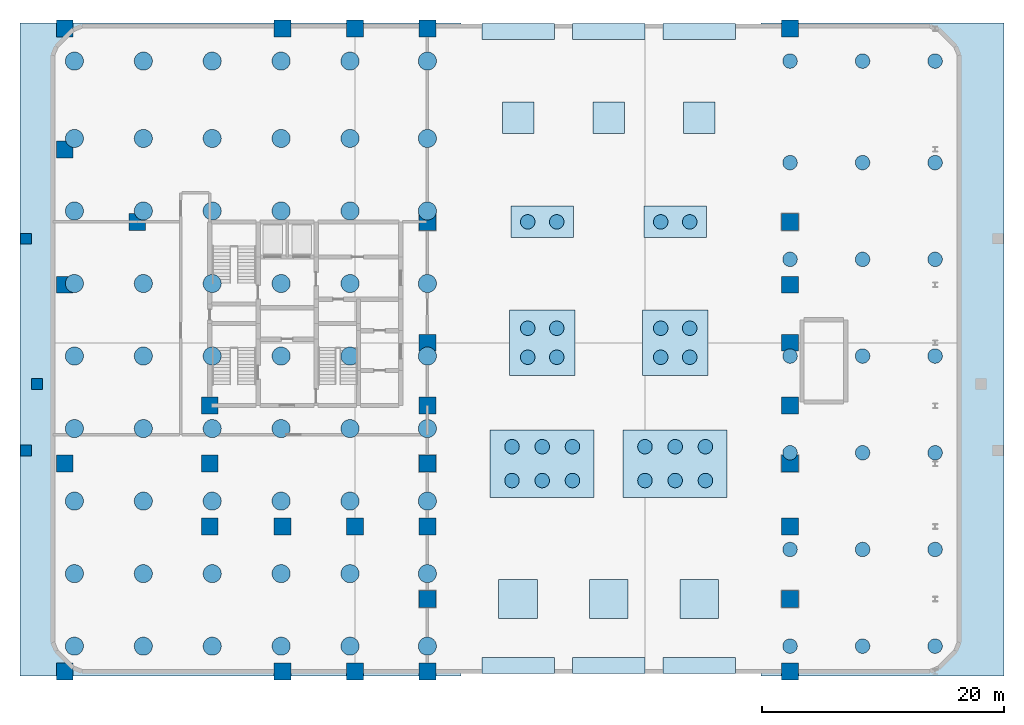
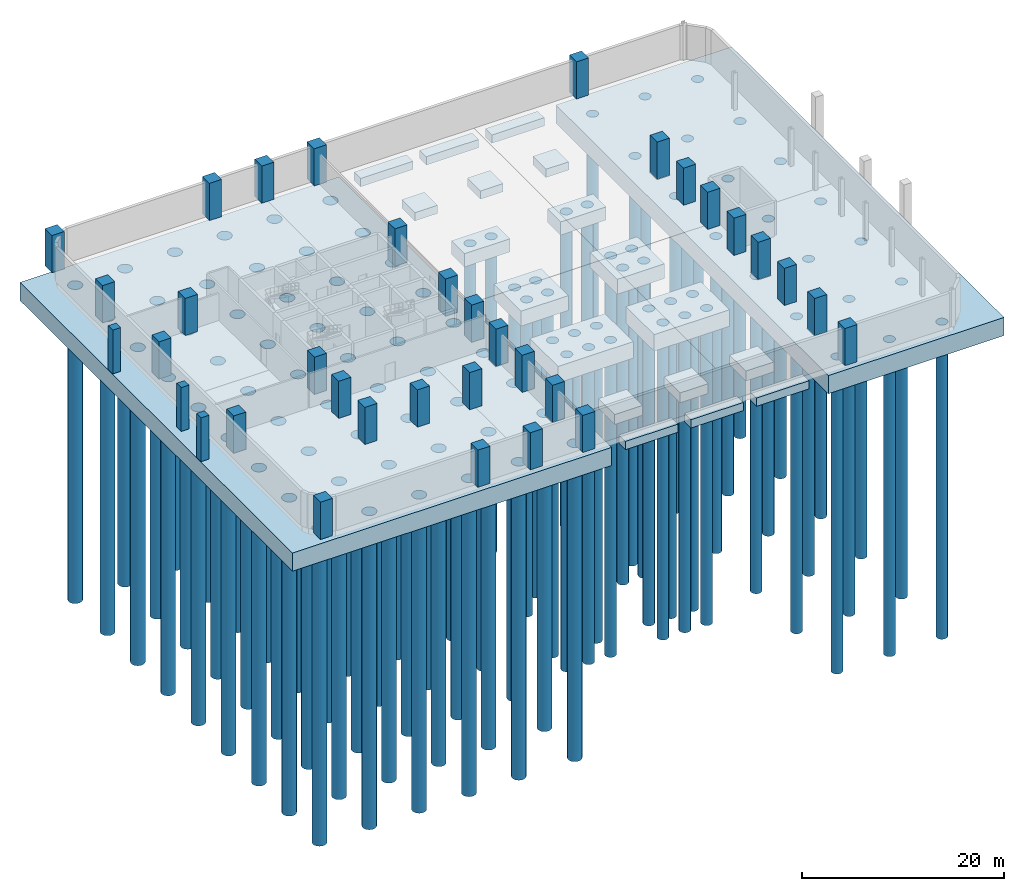
# One storey, part 1 of 8: 99 piles, 35 columns, 20 footings.
"""IFC4 building model written with IfcOpenShell, lengths in metres."""

from ifc_helpers import new_model, si_unit, direction, frame, origin, origin_2d, place, context, subcontext, project, spatial, polyline, rectangle, circle, outline, extrude, material, layer, layer_set, material_profile, profile_set, type_object, element, save


model = new_model("IFC4")

# Units and contexts
model_context = context("Model", 3, precision=1e-05, world=origin(), true_north=direction((0.0, 1.0)))
body_context = subcontext(model_context, "Body", "Model", "MODEL_VIEW")
ifc_project = project(units=[si_unit("LENGTHUNIT", "METRE"), si_unit("AREAUNIT", "SQUARE_METRE"), si_unit("VOLUMEUNIT", "CUBIC_METRE"), si_unit("PLANEANGLEUNIT", "RADIAN"), si_unit("MASSUNIT", "GRAM", prefix="KILO")], contexts=[model_context])

# Site, building, storey
site_placement = place(None, origin())
site = spatial("IfcSite", under=ifc_project, at=site_placement, CompositionType="ELEMENT")
building_placement = place(site_placement, origin())
building = spatial("IfcBuilding", under=site, at=building_placement, Name="Keshet Zoharim Tower", CompositionType="ELEMENT")
storey_placement = place(building_placement, frame((0.0, 0.0, -9.0)))
storey = spatial("IfcBuildingStorey", under=building, at=storey_placement, Name="B2", CompositionType="ELEMENT", Elevation=-9.0)

# Footings
ifc_material_1 = material(Name="Concrete C50/60", Category="concrete")
ifc_layer_1 = layer(ifc_material_1, 2.199951171875)
ifc_layer_set_1 = layer_set([ifc_layer_1], Name="Concrete C50/60")
footing_type_1 = type_object("IfcFootingType", Name="FT-ARCH-2200", PredefinedType="PILE_CAP", material=ifc_layer_set_1)
footing_1_placement = place(storey_placement, frame((0.0, 0.0, -3.0)))
element("IfcFooting", 1, at=footing_1_placement, inside=storey, type_object=footing_type_1, Name="Arch Abutment Pier Pile Cap East Raft", PredefinedType="PILE_CAP", context=body_context, shape_type="SweptSolid", body=[
    extrude(outline(polyline([(60.60009765625, 0.35009765625), (80.699951171875, 0.35009765625), (80.699951171875, 54.35009765625), (60.60009765625, 54.35009765625), (60.60009765625, 0.35009765625)])), origin(), (0.0, 0.0, 1.0), 2.199951171875),
])
ifc_layer_2 = layer(ifc_material_1, 1.60009765625)
ifc_layer_set_2 = layer_set([ifc_layer_2], Name="Concrete C50/60")
footing_type_2 = type_object("IfcFootingType", Name="FT-CAP2-1600", PredefinedType="PILE_CAP", material=ifc_layer_set_2)
footing_2_placement = place(storey_placement, frame((0.0, 0.0, -2.39990234375)))
element("IfcFooting", 2, at=footing_2_placement, inside=storey, type_object=footing_type_2, Name="Podium Pile Cap C2-01", PredefinedType="PILE_CAP", context=body_context, shape_type="SweptSolid", body=[
    extrude(outline(polyline([(39.89990234375, 36.60009765625), (45.10009765625, 36.60009765625), (45.10009765625, 39.199951171875), (39.89990234375, 39.199951171875), (39.89990234375, 36.60009765625)])), origin(), (0.0, 0.0, 1.0), 1.599853515625),
])
footing_3_placement = place(storey_placement, frame((0.0, 0.0, -2.39990234375)))
element("IfcFooting", 3, at=footing_3_placement, inside=storey, type_object=footing_type_2, Name="Podium Pile Cap C2-02", PredefinedType="PILE_CAP", context=body_context, shape_type="SweptSolid", body=[
    extrude(outline(polyline([(50.89990234375, 36.60009765625), (56.10009765625, 36.60009765625), (56.10009765625, 39.199951171875), (50.89990234375, 39.199951171875), (50.89990234375, 36.60009765625)])), origin(), (0.0, 0.0, 1.0), 1.599853515625),
])
ifc_layer_3 = layer(ifc_material_1, 1.800048828125)
ifc_layer_set_3 = layer_set([ifc_layer_3], Name="Concrete C50/60")
footing_type_3 = type_object("IfcFootingType", Name="FT-CAP4-1800", PredefinedType="PILE_CAP", material=ifc_layer_set_3)
footing_4_placement = place(storey_placement, frame((0.0, 0.0, -2.60009765625)))
element("IfcFooting", 4, at=footing_4_placement, inside=storey, type_object=footing_type_3, Name="Podium Pile Cap C4-01", PredefinedType="PILE_CAP", context=body_context, shape_type="SweptSolid", body=[
    extrude(outline(polyline([(39.800048828125, 25.199951171875), (45.199951171875, 25.199951171875), (45.199951171875, 30.60009765625), (39.800048828125, 30.60009765625), (39.800048828125, 25.199951171875)])), origin(), (0.0, 0.0, 1.0), 1.800048828125),
])
footing_5_placement = place(storey_placement, frame((0.0, 0.0, -2.60009765625)))
element("IfcFooting", 5, at=footing_5_placement, inside=storey, type_object=footing_type_3, Name="Podium Pile Cap C4-02", PredefinedType="PILE_CAP", context=body_context, shape_type="SweptSolid", body=[
    extrude(outline(polyline([(50.800048828125, 25.199951171875), (56.199951171875, 25.199951171875), (56.199951171875, 30.60009765625), (50.800048828125, 30.60009765625), (50.800048828125, 25.199951171875)])), origin(), (0.0, 0.0, 1.0), 1.800048828125),
])
ifc_layer_4 = layer(ifc_material_1, 2.0)
ifc_layer_set_4 = layer_set([ifc_layer_4], Name="Concrete C50/60")
footing_type_4 = type_object("IfcFootingType", Name="FT-CAP6-2000", PredefinedType="PILE_CAP", material=ifc_layer_set_4)
footing_6_placement = place(storey_placement, frame((0.0, 0.0, -2.800048828125)))
element("IfcFooting", 6, at=footing_6_placement, inside=storey, type_object=footing_type_4, Name="Podium Pile Cap C6-01", PredefinedType="PILE_CAP", context=body_context, shape_type="SweptSolid", body=[
    extrude(outline(polyline([(38.199951171875, 15.10009765625), (46.800048828125, 15.10009765625), (46.800048828125, 20.699951171875), (38.199951171875, 20.699951171875), (38.199951171875, 15.10009765625)])), origin(), (0.0, 0.0, 1.0), 2.0),
])
footing_7_placement = place(storey_placement, frame((0.0, 0.0, -2.800048828125)))
element("IfcFooting", 7, at=footing_7_placement, inside=storey, type_object=footing_type_4, Name="Podium Pile Cap C6-02", PredefinedType="PILE_CAP", context=body_context, shape_type="SweptSolid", body=[
    extrude(outline(polyline([(49.199951171875, 15.10009765625), (57.800048828125, 15.10009765625), (57.800048828125, 20.699951171875), (49.199951171875, 20.699951171875), (49.199951171875, 15.10009765625)])), origin(), (0.0, 0.0, 1.0), 2.0),
])
ifc_layer_5 = layer(ifc_material_1, 1.0)
ifc_layer_set_5 = layer_set([ifc_layer_5], Name="Concrete C50/60")
footing_type_5 = type_object("IfcFootingType", Name="FT-PAD-2600", PredefinedType="PAD_FOOTING", material=ifc_layer_set_5)
footing_8_placement = place(storey_placement, frame((0.0, 0.0, -1.800048828125)))
element("IfcFooting", 8, at=footing_8_placement, inside=storey, type_object=footing_type_5, Name="Basement Pad Footing PD-04", PredefinedType="PAD_FOOTING", context=body_context, shape_type="SweptSolid", body=[
    extrude(outline(polyline([(39.199951171875, 45.199951171875), (41.800048828125, 45.199951171875), (41.800048828125, 47.800048828125), (39.199951171875, 47.800048828125), (39.199951171875, 45.199951171875)])), origin(), (0.0, 0.0, 1.0), 1.0),
])
footing_9_placement = place(storey_placement, frame((0.0, 0.0, -1.800048828125)))
element("IfcFooting", 9, at=footing_9_placement, inside=storey, type_object=footing_type_5, Name="Basement Pad Footing PD-05", PredefinedType="PAD_FOOTING", context=body_context, shape_type="SweptSolid", body=[
    extrude(outline(polyline([(46.699951171875, 45.199951171875), (49.300048828125, 45.199951171875), (49.300048828125, 47.800048828125), (46.699951171875, 47.800048828125), (46.699951171875, 45.199951171875)])), origin(), (0.0, 0.0, 1.0), 1.0),
])
footing_10_placement = place(storey_placement, frame((0.0, 0.0, -1.800048828125)))
element("IfcFooting", 10, at=footing_10_placement, inside=storey, type_object=footing_type_5, Name="Basement Pad Footing PD-06", PredefinedType="PAD_FOOTING", context=body_context, shape_type="SweptSolid", body=[
    extrude(outline(polyline([(54.199951171875, 45.199951171875), (56.800048828125, 45.199951171875), (56.800048828125, 47.800048828125), (54.199951171875, 47.800048828125), (54.199951171875, 45.199951171875)])), origin(), (0.0, 0.0, 1.0), 1.0),
])
ifc_layer_6 = layer(ifc_material_1, 1.199951171875)
ifc_layer_set_6 = layer_set([ifc_layer_6], Name="Concrete C50/60")
footing_type_6 = type_object("IfcFootingType", Name="FT-PAD-3200", PredefinedType="PAD_FOOTING", material=ifc_layer_set_6)
footing_11_placement = place(storey_placement, frame((0.0, 0.0, -2.0)))
element("IfcFooting", 11, at=footing_11_placement, inside=storey, type_object=footing_type_6, Name="Basement Pad Footing PD-01", PredefinedType="PAD_FOOTING", context=body_context, shape_type="SweptSolid", body=[
    extrude(outline(polyline([(38.89990234375, 5.10009765625), (42.10009765625, 5.10009765625), (42.10009765625, 8.300048828125), (38.89990234375, 8.300048828125), (38.89990234375, 5.10009765625)])), origin(), (0.0, 0.0, 1.0), 1.199951171875),
])
footing_12_placement = place(storey_placement, frame((0.0, 0.0, -2.0)))
element("IfcFooting", 12, at=footing_12_placement, inside=storey, type_object=footing_type_6, Name="Basement Pad Footing PD-02", PredefinedType="PAD_FOOTING", context=body_context, shape_type="SweptSolid", body=[
    extrude(outline(polyline([(46.39990234375, 5.10009765625), (49.60009765625, 5.10009765625), (49.60009765625, 8.300048828125), (46.39990234375, 8.300048828125), (46.39990234375, 5.10009765625)])), origin(), (0.0, 0.0, 1.0), 1.199951171875),
])
footing_13_placement = place(storey_placement, frame((0.0, 0.0, -2.0)))
element("IfcFooting", 13, at=footing_13_placement, inside=storey, type_object=footing_type_6, Name="Basement Pad Footing PD-03", PredefinedType="PAD_FOOTING", context=body_context, shape_type="SweptSolid", body=[
    extrude(outline(polyline([(53.89990234375, 5.10009765625), (57.10009765625, 5.10009765625), (57.10009765625, 8.300048828125), (53.89990234375, 8.300048828125), (53.89990234375, 5.10009765625)])), origin(), (0.0, 0.0, 1.0), 1.199951171875),
])
ifc_layer_7 = layer(ifc_material_1, 2.199951171875)
ifc_layer_set_7 = layer_set([ifc_layer_7], Name="Concrete C50/60")
footing_type_7 = type_object("IfcFootingType", Name="FT-RAFT-2400", PredefinedType="PILE_CAP", material=ifc_layer_set_7)
footing_14_placement = place(storey_placement, frame((0.0, 0.0, -3.0)))
element("IfcFooting", 14, at=footing_14_placement, inside=storey, type_object=footing_type_7, Name="Tower Piled Raft Pile Cap West", PredefinedType="PILE_CAP", context=body_context, shape_type="SweptSolid", body=[
    extrude(outline(polyline([(-0.699951171875, 0.35009765625), (35.800048828125, 0.35009765625), (35.800048828125, 54.35009765625), (-0.699951171875, 54.35009765625), (-0.699951171875, 0.35009765625)])), origin(), (0.0, 0.0, 1.0), 2.199951171875),
])
ifc_layer_8 = layer(ifc_material_1, 1.0)
ifc_layer_set_8 = layer_set([ifc_layer_8], Name="Concrete C50/60")
footing_type_8 = type_object("IfcFootingType", Name="FT-STR-1400", PredefinedType="STRIP_FOOTING", material=ifc_layer_set_8)
footing_15_placement = place(storey_placement, frame((0.0, 0.0, -1.800048828125)))
element("IfcFooting", 15, at=footing_15_placement, inside=storey, type_object=footing_type_8, Name="Retaining Strip Footing SF-01", PredefinedType="STRIP_FOOTING", context=body_context, shape_type="SweptSolid", body=[
    extrude(outline(polyline([(37.5, 0.550048828125), (43.5, 0.550048828125), (43.5, 1.85009765625), (37.5, 1.85009765625), (37.5, 0.550048828125)])), origin(), (0.0, 0.0, 1.0), 1.0),
])
footing_16_placement = place(storey_placement, frame((0.0, 0.0, -1.800048828125)))
element("IfcFooting", 16, at=footing_16_placement, inside=storey, type_object=footing_type_8, Name="Retaining Strip Footing SF-02", PredefinedType="STRIP_FOOTING", context=body_context, shape_type="SweptSolid", body=[
    extrude(outline(polyline([(45.0, 0.550048828125), (51.0, 0.550048828125), (51.0, 1.85009765625), (45.0, 1.85009765625), (45.0, 0.550048828125)])), origin(), (0.0, 0.0, 1.0), 1.0),
])
footing_17_placement = place(storey_placement, frame((0.0, 0.0, -1.800048828125)))
element("IfcFooting", 17, at=footing_17_placement, inside=storey, type_object=footing_type_8, Name="Retaining Strip Footing SF-03", PredefinedType="STRIP_FOOTING", context=body_context, shape_type="SweptSolid", body=[
    extrude(outline(polyline([(52.5, 0.550048828125), (58.5, 0.550048828125), (58.5, 1.85009765625), (52.5, 1.85009765625), (52.5, 0.550048828125)])), origin(), (0.0, 0.0, 1.0), 1.0),
])
footing_18_placement = place(storey_placement, frame((0.0, 0.0, -1.800048828125)))
element("IfcFooting", 18, at=footing_18_placement, inside=storey, type_object=footing_type_8, Name="Retaining Strip Footing SF-04", PredefinedType="STRIP_FOOTING", context=body_context, shape_type="SweptSolid", body=[
    extrude(outline(polyline([(37.5, 53.0), (43.5, 53.0), (43.5, 54.300048828125), (37.5, 54.300048828125), (37.5, 53.0)])), origin(), (0.0, 0.0, 1.0), 1.0),
])
footing_19_placement = place(storey_placement, frame((0.0, 0.0, -1.800048828125)))
element("IfcFooting", 19, at=footing_19_placement, inside=storey, type_object=footing_type_8, Name="Retaining Strip Footing SF-05", PredefinedType="STRIP_FOOTING", context=body_context, shape_type="SweptSolid", body=[
    extrude(outline(polyline([(45.0, 53.0), (51.0, 53.0), (51.0, 54.300048828125), (45.0, 54.300048828125), (45.0, 53.0)])), origin(), (0.0, 0.0, 1.0), 1.0),
])
footing_20_placement = place(storey_placement, frame((0.0, 0.0, -1.800048828125)))
element("IfcFooting", 20, at=footing_20_placement, inside=storey, type_object=footing_type_8, Name="Retaining Strip Footing SF-06", PredefinedType="STRIP_FOOTING", context=body_context, shape_type="SweptSolid", body=[
    extrude(outline(polyline([(52.5, 53.0), (58.5, 53.0), (58.5, 54.300048828125), (52.5, 54.300048828125), (52.5, 53.0)])), origin(), (0.0, 0.0, 1.0), 1.0),
])

# Piles
ifc_material_profile_1 = material_profile(ifc_material_1, circle(Radius=0.60009765625, at=origin_2d()), Name="PILE-D1200")
ifc_profile_set_1 = profile_set([ifc_material_profile_1], Name="Concrete C50/60")
pile_type_1 = type_object("IfcPileType", Name="PILE-1200", PredefinedType="BORED", material=ifc_profile_set_1)
for number, where, z_axis, x_axis, name in (
    (21, (63.0, 2.800048828125, -0.800048828125), (0.0, 0.0, -1.0), (1.0, 0.0, 0.0), "Kurkar Bored Pile D1200-001"),
    (22, (63.0, 10.800048828125, -0.800048828125), (0.0, 0.0, -1.0), (1.0, 0.0, 0.0), "Kurkar Bored Pile D1200-002"),
    (23, (63.0, 18.800048828125, -0.800048828125), (0.0, 0.0, -1.0), (1.0, 0.0, 0.0), "Kurkar Bored Pile D1200-003"),
    (24, (63.0, 26.800048828125, -0.800048828125), (0.0, 0.0, -1.0), (1.0, 0.0, 0.0), "Kurkar Bored Pile D1200-004"),
    (25, (63.0, 34.800048828125, -0.800048828125), (0.0, 0.0, -1.0), (1.0, 0.0, 0.0), "Kurkar Bored Pile D1200-005"),
    (26, (63.0, 42.800048828125, -0.800048828125), (0.0, 0.0, -1.0), (1.0, 0.0, 0.0), "Kurkar Bored Pile D1200-006"),
    (27, (63.0, 51.199951171875, -0.800048828125), (0.0, 0.0, -1.0), (1.0, 0.0, 0.0), "Kurkar Bored Pile D1200-007"),
    (28, (69.0, 2.800048828125, -0.800048828125), (0.0, 0.0, -1.0), (1.0, 0.0, 0.0), "Kurkar Bored Pile D1200-008"),
    (29, (69.0, 10.800048828125, -0.800048828125), (0.0, 0.0, -1.0), (1.0, 0.0, 0.0), "Kurkar Bored Pile D1200-009"),
    (30, (69.0, 18.800048828125, -0.800048828125), (0.0, 0.0, -1.0), (1.0, 0.0, 0.0), "Kurkar Bored Pile D1200-010"),
    (31, (69.0, 26.800048828125, -0.800048828125), (0.0, 0.0, -1.0), (1.0, 0.0, 0.0), "Kurkar Bored Pile D1200-011"),
    (32, (69.0, 34.800048828125, -0.800048828125), (0.0, 0.0, -1.0), (1.0, 0.0, 0.0), "Kurkar Bored Pile D1200-012"),
    (33, (69.0, 42.800048828125, -0.800048828125), (0.0, 0.0, -1.0), (1.0, 0.0, 0.0), "Kurkar Bored Pile D1200-013"),
    (34, (69.0, 51.199951171875, -0.800048828125), (0.0, 0.0, -1.0), (1.0, 0.0, 0.0), "Kurkar Bored Pile D1200-014"),
    (35, (75.0, 2.800048828125, -0.800048828125), (0.0, 0.0, -1.0), (1.0, 0.0, 0.0), "Kurkar Bored Pile D1200-015"),
    (36, (75.0, 10.800048828125, -0.800048828125), (0.0, 0.0, -1.0), (1.0, 0.0, 0.0), "Kurkar Bored Pile D1200-016"),
    (37, (75.0, 18.800048828125, -0.800048828125), (0.0, 0.0, -1.0), (1.0, 0.0, 0.0), "Kurkar Bored Pile D1200-017"),
    (38, (75.0, 26.800048828125, -0.800048828125), (0.0, 0.0, -1.0), (1.0, 0.0, 0.0), "Kurkar Bored Pile D1200-018"),
    (39, (75.0, 34.800048828125, -0.800048828125), (0.0, 0.0, -1.0), (1.0, 0.0, 0.0), "Kurkar Bored Pile D1200-019"),
    (40, (75.0, 42.800048828125, -0.800048828125), (0.0, 0.0, -1.0), (1.0, 0.0, 0.0), "Kurkar Bored Pile D1200-020"),
    (41, (75.0, 51.199951171875, -0.800048828125), (0.0, 0.0, -1.0), (1.0, 0.0, 0.0), "Kurkar Bored Pile D1200-021"),
    (42, (40.0, 16.5, -0.800048828125), (0.0, 0.0, -1.0), (1.0, 0.0, 0.0), "Kurkar Bored Pile D1200-022"),
    (43, (42.5, 16.5, -0.800048828125), (0.0, 0.0, -1.0), (1.0, 0.0, 0.0), "Kurkar Bored Pile D1200-023"),
    (44, (45.0, 16.5, -0.800048828125), (0.0, 0.0, -1.0), (1.0, 0.0, 0.0), "Kurkar Bored Pile D1200-024"),
    (45, (40.0, 19.300048828125, -0.800048828125), (0.0, 0.0, -1.0), (1.0, 0.0, 0.0), "Kurkar Bored Pile D1200-025"),
    (46, (42.5, 19.300048828125, -0.800048828125), (0.0, 0.0, -1.0), (1.0, 0.0, 0.0), "Kurkar Bored Pile D1200-026"),
    (47, (45.0, 19.300048828125, -0.800048828125), (0.0, 0.0, -1.0), (1.0, 0.0, 0.0), "Kurkar Bored Pile D1200-027"),
    (48, (51.0, 16.5, -0.800048828125), (0.0, 0.0, -1.0), (1.0, 0.0, 0.0), "Kurkar Bored Pile D1200-028"),
    (49, (53.5, 16.5, -0.800048828125), (0.0, 0.0, -1.0), (1.0, 0.0, 0.0), "Kurkar Bored Pile D1200-029"),
    (50, (56.0, 16.5, -0.800048828125), (0.0, 0.0, -1.0), (1.0, 0.0, 0.0), "Kurkar Bored Pile D1200-030"),
    (51, (51.0, 19.300048828125, -0.800048828125), (0.0, 0.0, -1.0), (1.0, 0.0, 0.0), "Kurkar Bored Pile D1200-031"),
    (52, (53.5, 19.300048828125, -0.800048828125), (0.0, 0.0, -1.0), (1.0, 0.0, 0.0), "Kurkar Bored Pile D1200-032"),
    (53, (56.0, 19.300048828125, -0.800048828125), (0.0, 0.0, -1.0), (1.0, 0.0, 0.0), "Kurkar Bored Pile D1200-033"),
    (54, (41.300048828125, 26.699951171875, -0.800048828125), (0.0, 0.0, -1.0), (1.0, 0.0, 0.0), "Kurkar Bored Pile D1200-034"),
    (55, (43.699951171875, 26.699951171875, -0.800048828125), (0.0, 0.0, -1.0), (1.0, 0.0, 0.0), "Kurkar Bored Pile D1200-035"),
    (56, (41.300048828125, 29.10009765625, -0.800048828125), (0.0, 0.0, -1.0), (1.0, 0.0, 0.0), "Kurkar Bored Pile D1200-036"),
    (57, (43.699951171875, 29.10009765625, -0.800048828125), (0.0, 0.0, -1.0), (1.0, 0.0, 0.0), "Kurkar Bored Pile D1200-037"),
    (58, (52.300048828125, 26.699951171875, -0.800048828125), (0.0, 0.0, -1.0), (1.0, 0.0, 0.0), "Kurkar Bored Pile D1200-038"),
    (59, (54.699951171875, 26.699951171875, -0.800048828125), (0.0, 0.0, -1.0), (1.0, 0.0, 0.0), "Kurkar Bored Pile D1200-039"),
    (60, (52.300048828125, 29.10009765625, -0.800048828125), (0.0, 0.0, -1.0), (1.0, 0.0, 0.0), "Kurkar Bored Pile D1200-040"),
    (61, (54.699951171875, 29.10009765625, -0.800048828125), (0.0, 0.0, -1.0), (1.0, 0.0, 0.0), "Kurkar Bored Pile D1200-041"),
    (62, (41.300048828125, 37.89990234375, -0.800048828125), (0.0, 0.0, -1.0), (1.0, 0.0, 0.0), "Kurkar Bored Pile D1200-042"),
    (63, (43.699951171875, 37.89990234375, -0.800048828125), (0.0, 0.0, -1.0), (1.0, 0.0, 0.0), "Kurkar Bored Pile D1200-043"),
    (64, (52.300048828125, 37.89990234375, -0.800048828125), (0.0, 0.0, -1.0), (1.0, 0.0, 0.0), "Kurkar Bored Pile D1200-044"),
    (65, (54.699951171875, 37.89990234375, -0.800048828125), (0.0, 0.0, -1.0), (1.0, 0.0, 0.0), "Kurkar Bored Pile D1200-045"),
):
    element("IfcPile", number, at=place(storey_placement, frame(where, z_axis=z_axis, x_axis=x_axis)), inside=storey, type_object=pile_type_1, Name=name, PredefinedType="BORED", context=body_context, shape_type="SweptSolid", body=[
        extrude(circle(Radius=0.60009765625, at=origin_2d()), origin(), (0.0, 0.0, 1.0), 38.0),
    ])
ifc_material_profile_2 = material_profile(ifc_material_1, circle(Radius=0.75, at=origin_2d()), Name="PILE-D1500")
ifc_profile_set_2 = profile_set([ifc_material_profile_2], Name="Concrete C50/60")
pile_type_2 = type_object("IfcPileType", Name="PILE-1500", PredefinedType="BORED", material=ifc_profile_set_2)
for number, where, z_axis, x_axis, name in (
    (66, (3.800048828125, 2.800048828125, -0.800048828125), (0.0, 0.0, -1.0), (1.0, 0.0, 0.0), "Kurkar Bored Pile D1500-001"),
    (67, (3.800048828125, 8.800048828125, -0.800048828125), (0.0, 0.0, -1.0), (1.0, 0.0, 0.0), "Kurkar Bored Pile D1500-002"),
    (68, (3.800048828125, 14.800048828125, -0.800048828125), (0.0, 0.0, -1.0), (1.0, 0.0, 0.0), "Kurkar Bored Pile D1500-003"),
    (69, (3.800048828125, 20.800048828125, -0.800048828125), (0.0, 0.0, -1.0), (1.0, 0.0, 0.0), "Kurkar Bored Pile D1500-004"),
    (70, (3.800048828125, 26.800048828125, -0.800048828125), (0.0, 0.0, -1.0), (1.0, 0.0, 0.0), "Kurkar Bored Pile D1500-005"),
    (71, (3.800048828125, 32.800048828125, -0.800048828125), (0.0, 0.0, -1.0), (1.0, 0.0, 0.0), "Kurkar Bored Pile D1500-006"),
    (72, (3.800048828125, 38.800048828125, -0.800048828125), (0.0, 0.0, -1.0), (1.0, 0.0, 0.0), "Kurkar Bored Pile D1500-007"),
    (73, (3.800048828125, 44.800048828125, -0.800048828125), (0.0, 0.0, -1.0), (1.0, 0.0, 0.0), "Kurkar Bored Pile D1500-008"),
    (74, (3.800048828125, 51.199951171875, -0.800048828125), (0.0, 0.0, -1.0), (1.0, 0.0, 0.0), "Kurkar Bored Pile D1500-009"),
    (75, (9.5, 2.800048828125, -0.800048828125), (0.0, 0.0, -1.0), (1.0, 0.0, 0.0), "Kurkar Bored Pile D1500-010"),
    (76, (9.5, 8.800048828125, -0.800048828125), (0.0, 0.0, -1.0), (1.0, 0.0, 0.0), "Kurkar Bored Pile D1500-011"),
    (77, (9.5, 14.800048828125, -0.800048828125), (0.0, 0.0, -1.0), (1.0, 0.0, 0.0), "Kurkar Bored Pile D1500-012"),
    (78, (9.5, 20.800048828125, -0.800048828125), (0.0, 0.0, -1.0), (1.0, 0.0, 0.0), "Kurkar Bored Pile D1500-013"),
    (79, (9.5, 26.800048828125, -0.800048828125), (0.0, 0.0, -1.0), (1.0, 0.0, 0.0), "Kurkar Bored Pile D1500-014"),
    (80, (9.5, 32.800048828125, -0.800048828125), (0.0, 0.0, -1.0), (1.0, 0.0, 0.0), "Kurkar Bored Pile D1500-015"),
    (81, (9.5, 38.800048828125, -0.800048828125), (0.0, 0.0, -1.0), (1.0, 0.0, 0.0), "Kurkar Bored Pile D1500-016"),
    (82, (9.5, 44.800048828125, -0.800048828125), (0.0, 0.0, -1.0), (1.0, 0.0, 0.0), "Kurkar Bored Pile D1500-017"),
    (83, (9.5, 51.199951171875, -0.800048828125), (0.0, 0.0, -1.0), (1.0, 0.0, 0.0), "Kurkar Bored Pile D1500-018"),
    (84, (15.199951171875, 2.800048828125, -0.800048828125), (0.0, 0.0, -1.0), (1.0, 0.0, 0.0), "Kurkar Bored Pile D1500-019"),
    (85, (15.199951171875, 8.800048828125, -0.800048828125), (0.0, 0.0, -1.0), (1.0, 0.0, 0.0), "Kurkar Bored Pile D1500-020"),
    (86, (15.199951171875, 14.800048828125, -0.800048828125), (0.0, 0.0, -1.0), (1.0, 0.0, 0.0), "Kurkar Bored Pile D1500-021"),
    (87, (15.199951171875, 20.800048828125, -0.800048828125), (0.0, 0.0, -1.0), (1.0, 0.0, 0.0), "Kurkar Bored Pile D1500-022"),
    (88, (15.199951171875, 26.800048828125, -0.800048828125), (0.0, 0.0, -1.0), (1.0, 0.0, 0.0), "Kurkar Bored Pile D1500-023"),
    (89, (15.199951171875, 32.800048828125, -0.800048828125), (0.0, 0.0, -1.0), (1.0, 0.0, 0.0), "Kurkar Bored Pile D1500-024"),
    (90, (15.199951171875, 38.800048828125, -0.800048828125), (0.0, 0.0, -1.0), (1.0, 0.0, 0.0), "Kurkar Bored Pile D1500-025"),
    (91, (15.199951171875, 44.800048828125, -0.800048828125), (0.0, 0.0, -1.0), (1.0, 0.0, 0.0), "Kurkar Bored Pile D1500-026"),
    (92, (15.199951171875, 51.199951171875, -0.800048828125), (0.0, 0.0, -1.0), (1.0, 0.0, 0.0), "Kurkar Bored Pile D1500-027"),
    (93, (20.89990234375, 2.800048828125, -0.800048828125), (0.0, 0.0, -1.0), (1.0, 0.0, 0.0), "Kurkar Bored Pile D1500-028"),
    (94, (20.89990234375, 8.800048828125, -0.800048828125), (0.0, 0.0, -1.0), (1.0, 0.0, 0.0), "Kurkar Bored Pile D1500-029"),
    (95, (20.89990234375, 14.800048828125, -0.800048828125), (0.0, 0.0, -1.0), (1.0, 0.0, 0.0), "Kurkar Bored Pile D1500-030"),
    (96, (20.89990234375, 20.800048828125, -0.800048828125), (0.0, 0.0, -1.0), (1.0, 0.0, 0.0), "Kurkar Bored Pile D1500-031"),
    (97, (20.89990234375, 26.800048828125, -0.800048828125), (0.0, 0.0, -1.0), (1.0, 0.0, 0.0), "Kurkar Bored Pile D1500-032"),
    (98, (20.89990234375, 32.800048828125, -0.800048828125), (0.0, 0.0, -1.0), (1.0, 0.0, 0.0), "Kurkar Bored Pile D1500-033"),
    (99, (20.89990234375, 38.800048828125, -0.800048828125), (0.0, 0.0, -1.0), (1.0, 0.0, 0.0), "Kurkar Bored Pile D1500-034"),
    (100, (20.89990234375, 44.800048828125, -0.800048828125), (0.0, 0.0, -1.0), (1.0, 0.0, 0.0), "Kurkar Bored Pile D1500-035"),
    (101, (20.89990234375, 51.199951171875, -0.800048828125), (0.0, 0.0, -1.0), (1.0, 0.0, 0.0), "Kurkar Bored Pile D1500-036"),
    (102, (26.60009765625, 2.800048828125, -0.800048828125), (0.0, 0.0, -1.0), (1.0, 0.0, 0.0), "Kurkar Bored Pile D1500-037"),
    (103, (26.60009765625, 8.800048828125, -0.800048828125), (0.0, 0.0, -1.0), (1.0, 0.0, 0.0), "Kurkar Bored Pile D1500-038"),
    (104, (26.60009765625, 14.800048828125, -0.800048828125), (0.0, 0.0, -1.0), (1.0, 0.0, 0.0), "Kurkar Bored Pile D1500-039"),
    (105, (26.60009765625, 20.800048828125, -0.800048828125), (0.0, 0.0, -1.0), (1.0, 0.0, 0.0), "Kurkar Bored Pile D1500-040"),
    (106, (26.60009765625, 26.800048828125, -0.800048828125), (0.0, 0.0, -1.0), (1.0, 0.0, 0.0), "Kurkar Bored Pile D1500-041"),
    (107, (26.60009765625, 32.800048828125, -0.800048828125), (0.0, 0.0, -1.0), (1.0, 0.0, 0.0), "Kurkar Bored Pile D1500-042"),
    (108, (26.60009765625, 38.800048828125, -0.800048828125), (0.0, 0.0, -1.0), (1.0, 0.0, 0.0), "Kurkar Bored Pile D1500-043"),
    (109, (26.60009765625, 44.800048828125, -0.800048828125), (0.0, 0.0, -1.0), (1.0, 0.0, 0.0), "Kurkar Bored Pile D1500-044"),
    (110, (26.60009765625, 51.199951171875, -0.800048828125), (0.0, 0.0, -1.0), (1.0, 0.0, 0.0), "Kurkar Bored Pile D1500-045"),
    (111, (33.0, 2.800048828125, -0.800048828125), (0.0, 0.0, -1.0), (1.0, 0.0, 0.0), "Kurkar Bored Pile D1500-046"),
    (112, (33.0, 8.800048828125, -0.800048828125), (0.0, 0.0, -1.0), (1.0, 0.0, 0.0), "Kurkar Bored Pile D1500-047"),
    (113, (33.0, 14.800048828125, -0.800048828125), (0.0, 0.0, -1.0), (1.0, 0.0, 0.0), "Kurkar Bored Pile D1500-048"),
    (114, (33.0, 20.800048828125, -0.800048828125), (0.0, 0.0, -1.0), (1.0, 0.0, 0.0), "Kurkar Bored Pile D1500-049"),
    (115, (33.0, 26.800048828125, -0.800048828125), (0.0, 0.0, -1.0), (1.0, 0.0, 0.0), "Kurkar Bored Pile D1500-050"),
    (116, (33.0, 32.800048828125, -0.800048828125), (0.0, 0.0, -1.0), (1.0, 0.0, 0.0), "Kurkar Bored Pile D1500-051"),
    (117, (33.0, 38.800048828125, -0.800048828125), (0.0, 0.0, -1.0), (1.0, 0.0, 0.0), "Kurkar Bored Pile D1500-052"),
    (118, (33.0, 44.800048828125, -0.800048828125), (0.0, 0.0, -1.0), (1.0, 0.0, 0.0), "Kurkar Bored Pile D1500-053"),
    (119, (33.0, 51.199951171875, -0.800048828125), (0.0, 0.0, -1.0), (1.0, 0.0, 0.0), "Kurkar Bored Pile D1500-054"),
):
    element("IfcPile", number, at=place(storey_placement, frame(where, z_axis=z_axis, x_axis=x_axis)), inside=storey, type_object=pile_type_2, Name=name, PredefinedType="BORED", context=body_context, shape_type="SweptSolid", body=[
        extrude(circle(Radius=0.75, at=origin_2d()), origin(), (0.0, 0.0, 1.0), 38.0),
    ])

# Columns
ifc_material_2 = material(Name="Concrete C60/75", Category="concrete")
ifc_material_profile_3 = material_profile(ifc_material_2, rectangle(XDim=1.39990234375, YDim=1.39990234375, at=origin_2d()), Name="RC1400x1400")
ifc_profile_set_3 = profile_set([ifc_material_profile_3], Name="Concrete C60/75")
column_type_1 = type_object("IfcColumnType", Name="COL-POD-1400", PredefinedType="COLUMN", material=ifc_profile_set_3)
for number, where, z_axis, x_axis, name in (
    (120, (3.0, 0.699951171875, 0.0), (0.0, 0.0, 1.0), (1.0, 0.0, 0.0), "B2 Column 1A"),
    (121, (3.0, 17.89990234375, 0.0), (0.0, 0.0, 1.0), (1.0, 0.0, 0.0), "B2 Column 1D"),
    (122, (3.0, 32.699951171875, 0.0), (0.0, 0.0, 1.0), (1.0, 0.0, 0.0), "B2 Column 1G"),
    (123, (3.0, 43.89990234375, 0.0), (0.0, 0.0, 1.0), (1.0, 0.0, 0.0), "B2 Column 1J"),
    (124, (3.0, 53.89990234375, 0.0), (0.0, 0.0, 1.0), (1.0, 0.0, 0.0), "B2 Column 1L"),
    (125, (9.0, 37.89990234375, 0.0), (0.0, 0.0, 1.0), (1.0, 0.0, 0.0), "B2 Column 2H"),
    (126, (15.0, 12.699951171875, 0.0), (0.0, 0.0, 1.0), (1.0, 0.0, 0.0), "B2 Column 3C"),
    (127, (15.0, 17.89990234375, 0.0), (0.0, 0.0, 1.0), (1.0, 0.0, 0.0), "B2 Column 3D"),
    (128, (15.0, 22.699951171875, 0.0), (0.0, 0.0, 1.0), (1.0, 0.0, 0.0), "B2 Column 3E"),
    (129, (21.0, 0.699951171875, 0.0), (0.0, 0.0, 1.0), (1.0, 0.0, 0.0), "B2 Column 4A"),
    (130, (21.0, 12.699951171875, 0.0), (0.0, 0.0, 1.0), (1.0, 0.0, 0.0), "B2 Column 4C"),
    (131, (21.0, 53.89990234375, 0.0), (0.0, 0.0, 1.0), (1.0, 0.0, 0.0), "B2 Column 4L"),
    (132, (27.0, 0.699951171875, 0.0), (0.0, 0.0, 1.0), (1.0, 0.0, 0.0), "B2 Column 5A"),
    (133, (27.0, 12.699951171875, 0.0), (0.0, 0.0, 1.0), (1.0, 0.0, 0.0), "B2 Column 5C"),
    (134, (27.0, 53.89990234375, 0.0), (0.0, 0.0, 1.0), (1.0, 0.0, 0.0), "B2 Column 5L"),
):
    element("IfcColumn", number, at=place(storey_placement, frame(where, z_axis=z_axis, x_axis=x_axis)), inside=storey, type_object=column_type_1, Name=name, PredefinedType="COLUMN", context=body_context, shape_type="SweptSolid", body=[
        extrude(rectangle(XDim=1.39990234375, YDim=1.39990234375, at=origin_2d()), origin(), (0.0, 0.0, 1.0), 4.5),
    ])
ifc_material_profile_4 = material_profile(ifc_material_2, rectangle(XDim=0.89990234375, YDim=0.89990234375, at=origin_2d()), Name="RC900x900")
ifc_profile_set_4 = profile_set([ifc_material_profile_4], Name="Concrete C60/75")
column_type_2 = type_object("IfcColumnType", Name="COL-RC900", PredefinedType="COLUMN", material=ifc_profile_set_4)
for number, where, z_axis, x_axis, name in (
    (135, (-0.199951171875, 19.0, -0.800048828125), (0.0, 0.0, 1.0), (1.0, 0.0, 0.0), "B2 Forecourt Support Column FW1"),
    (136, (0.699951171875, 24.5, -0.800048828125), (0.0, 0.0, 1.0), (1.0, 0.0, 0.0), "B2 Forecourt Support Column FW2"),
    (137, (-0.199951171875, 36.5, -0.800048828125), (0.0, 0.0, 1.0), (1.0, 0.0, 0.0), "B2 Forecourt Support Column FW3"),
):
    element("IfcColumn", number, at=place(storey_placement, frame(where, z_axis=z_axis, x_axis=x_axis)), inside=storey, type_object=column_type_2, Name=name, PredefinedType="COLUMN", context=body_context, shape_type="SweptSolid", body=[
        extrude(rectangle(XDim=0.89990234375, YDim=0.89990234375, at=origin_2d()), origin(), (0.0, 0.0, 1.0), 5.300048828125),
    ])
ifc_material_profile_5 = material_profile(ifc_material_2, rectangle(XDim=1.39990234375, YDim=1.39990234375, at=origin_2d()), Name="RC1400x1400")
ifc_profile_set_5 = profile_set([ifc_material_profile_5], Name="Concrete C60/75")
column_type_3 = type_object("IfcColumnType", Name="PIL-RC1400", PredefinedType="PILASTER", material=ifc_profile_set_5)
for number, where, z_axis, x_axis, name in (
    (138, (33.0, 0.699951171875, 0.0), (0.0, 0.0, 1.0), (1.0, 0.0, 0.0), "B2 Column 6A"),
    (139, (33.0, 6.699951171875, 0.0), (0.0, 0.0, 1.0), (1.0, 0.0, 0.0), "B2 Column 6B"),
    (140, (33.0, 12.699951171875, 0.0), (0.0, 0.0, 1.0), (1.0, 0.0, 0.0), "B2 Column 6C"),
    (141, (33.0, 17.89990234375, 0.0), (0.0, 0.0, 1.0), (1.0, 0.0, 0.0), "B2 Column 6D"),
    (142, (33.0, 22.699951171875, 0.0), (0.0, 0.0, 1.0), (1.0, 0.0, 0.0), "B2 Column 6E"),
    (143, (33.0, 27.89990234375, 0.0), (0.0, 0.0, 1.0), (1.0, 0.0, 0.0), "B2 Column 6F"),
    (144, (33.0, 37.89990234375, 0.0), (0.0, 0.0, 1.0), (1.0, 0.0, 0.0), "B2 Column 6H"),
    (145, (33.0, 53.89990234375, 0.0), (0.0, 0.0, 1.0), (1.0, 0.0, 0.0), "B2 Column 6L"),
    (146, (63.0, 0.699951171875, 0.0), (0.0, 0.0, 1.0), (1.0, 0.0, 0.0), "B2 Column 11A"),
    (147, (63.0, 6.699951171875, 0.0), (0.0, 0.0, 1.0), (1.0, 0.0, 0.0), "B2 Column 11B"),
    (148, (63.0, 12.699951171875, 0.0), (0.0, 0.0, 1.0), (1.0, 0.0, 0.0), "B2 Column 11C"),
    (149, (63.0, 17.89990234375, 0.0), (0.0, 0.0, 1.0), (1.0, 0.0, 0.0), "B2 Column 11D"),
    (150, (63.0, 22.699951171875, 0.0), (0.0, 0.0, 1.0), (1.0, 0.0, 0.0), "B2 Column 11E"),
    (151, (63.0, 27.89990234375, 0.0), (0.0, 0.0, 1.0), (1.0, 0.0, 0.0), "B2 Column 11F"),
    (152, (63.0, 32.699951171875, 0.0), (0.0, 0.0, 1.0), (1.0, 0.0, 0.0), "B2 Column 11G"),
    (153, (63.0, 37.89990234375, 0.0), (0.0, 0.0, 1.0), (1.0, 0.0, 0.0), "B2 Column 11H"),
    (154, (63.0, 53.89990234375, 0.0), (0.0, 0.0, 1.0), (1.0, 0.0, 0.0), "B2 Column 11L"),
):
    element("IfcColumn", number, at=place(storey_placement, frame(where, z_axis=z_axis, x_axis=x_axis)), inside=storey, type_object=column_type_3, Name=name, PredefinedType="PILASTER", context=body_context, shape_type="SweptSolid", body=[
        extrude(rectangle(XDim=1.39990234375, YDim=1.39990234375, at=origin_2d()), origin(), (0.0, 0.0, 1.0), 4.5),
    ])

save(model, "model.ifc")
